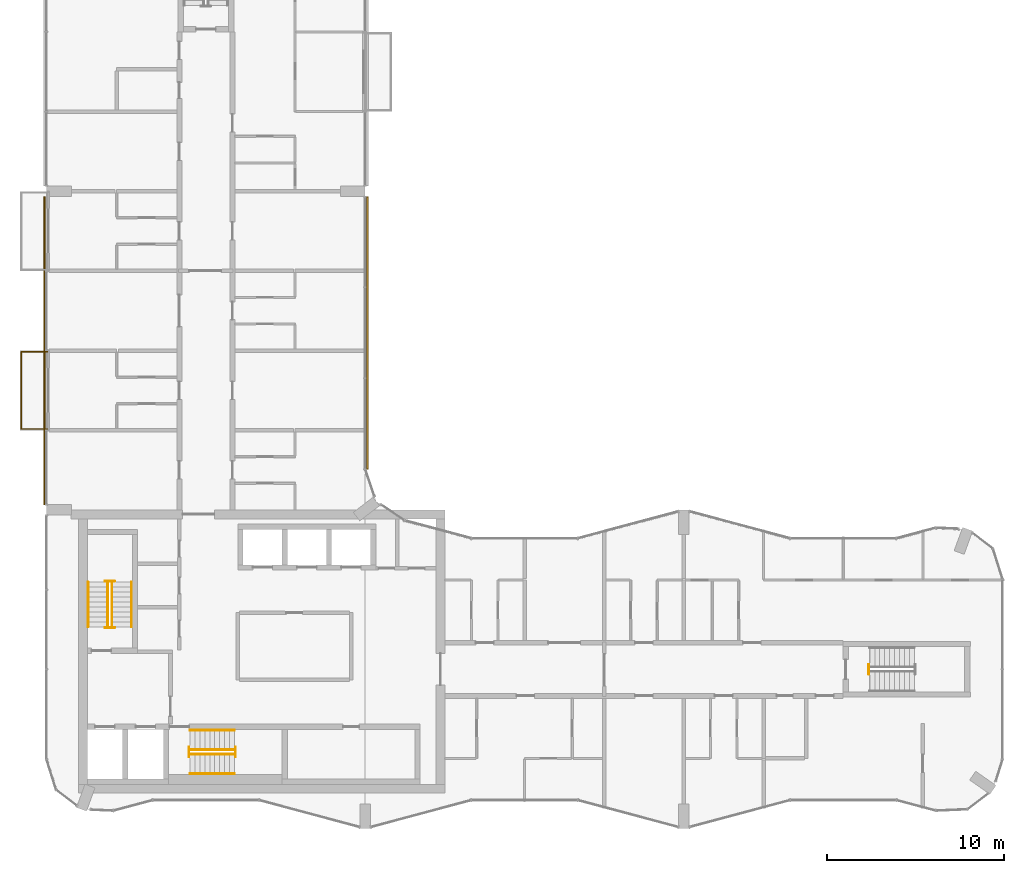
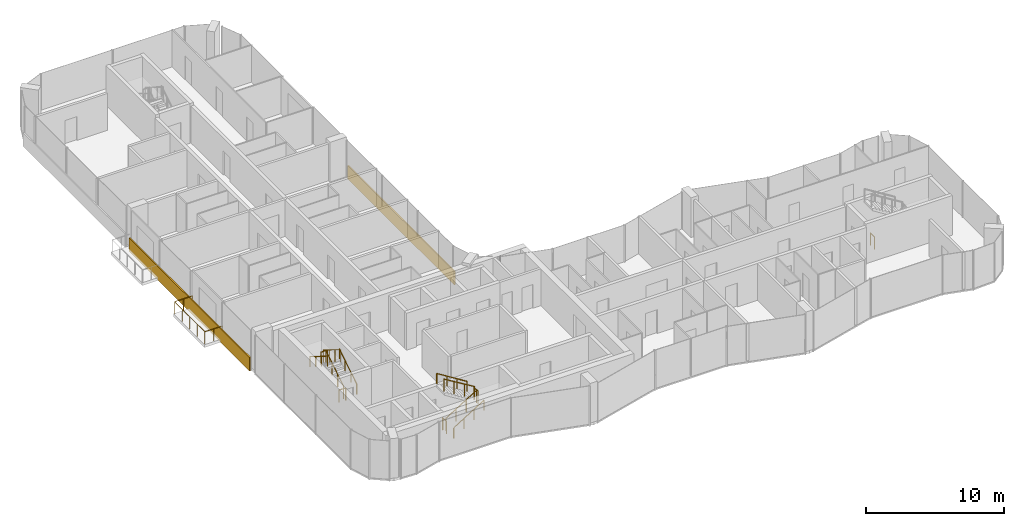
# One storey, part 14 of 16: 14 railings, 2 coverings.
"""IFC4 building model written with IfcOpenShell, lengths in metres."""

import ifcopenshell
import ifcopenshell.guid

model = None  # the IFC model being written
_history = None  # IfcOwnerHistory: only IFC2X3 demands one
_inside = {}  # id of a spatial element -> (the spatial element, [elements in it])
_under = {}  # id of a project, library or spatial element -> (it, [spatial elements below it])
_declared = {}  # id of a project -> (the project, [libraries it declares])
_typed = {}  # id of a type object -> (the type object, [elements of that type])
_made_of = {}  # id of a material, layer set ... -> (it, [elements and type objects made of it])


def new_model(schema):
    """Start an empty IFC model of exactly this schema.

    Asked for "IFC4X3", IfcOpenShell would pick the latest addendum, in which some entities
    have other attributes; the version numbers below select the first issue.
    IFC2X3 requires an IfcOwnerHistory on every rooted entity: one is made here for all.
    """
    global model, _history
    if schema == "IFC4X3":
        model = ifcopenshell.file(schema_version=(4, 3, 0, 0))
    else:
        model = ifcopenshell.file(schema=schema)
    _inside.clear()
    _under.clear()
    _declared.clear()
    _typed.clear()
    _made_of.clear()
    _history = None
    if model.schema == "IFC2X3":
        org = make("IfcOrganization", Name="unknown")
        user = make(
            "IfcPersonAndOrganization",
            ThePerson=make("IfcPerson", FamilyName="unknown"),
            TheOrganization=org,
        )
        app = make(
            "IfcApplication",
            ApplicationDeveloper=org,
            Version="unknown",
            ApplicationFullName="unknown",
            ApplicationIdentifier="unknown",
        )
        _history = make(
            "IfcOwnerHistory",
            OwningUser=user,
            OwningApplication=app,
            ChangeAction="ADDED",
            CreationDate=0,
        )
    return model


def make(cls, **values):
    """One entity of the class cls with the attributes given. An attribute that is None is left unset."""
    return model.create_entity(
        cls, **{name: value for name, value in values.items() if value is not None}
    )


def rooted(cls, **values):
    """An entity with a GlobalId (a new one), such as an element, a storey or a relation."""
    return make(cls, GlobalId=ifcopenshell.guid.new(), OwnerHistory=_history, **values)


def si_unit(unit_type, name, prefix=None):
    """IfcSIUnit, for example si_unit("LENGTHUNIT", "METRE", prefix="MILLI")."""
    return make("IfcSIUnit", UnitType=unit_type, Prefix=prefix, Name=name)


def assignment(units):
    """IfcUnitAssignment: the units of a project."""
    return None if units is None else make("IfcUnitAssignment", Units=units)


def point(xyz):
    """IfcCartesianPoint."""
    return None if xyz is None else make("IfcCartesianPoint", Coordinates=xyz)


def direction(xyz):
    """IfcDirection."""
    return None if xyz is None else make("IfcDirection", DirectionRatios=xyz)


def frame(location, z_axis=None, x_axis=None):
    """IfcAxis2Placement3D, a coordinate frame: its origin and axes. An axis left out is left unset."""
    return make(
        "IfcAxis2Placement3D",
        Location=point(location),
        Axis=direction(z_axis),
        RefDirection=direction(x_axis),
    )


def frame_2d(location, x_axis=None):
    """IfcAxis2Placement2D, a coordinate frame in the plane: its origin and x axis."""
    return make(
        "IfcAxis2Placement2D", Location=point(location), RefDirection=direction(x_axis)
    )


def origin():
    """The frame at (0, 0, 0) with its axes left unset."""
    return frame((0.0, 0.0, 0.0))


def origin_2d():
    """The frame at (0, 0) in the plane with its x axis left unset."""
    return frame_2d((0.0, 0.0))


def place(relative_to, where):
    """IfcLocalPlacement: puts the frame where relative to a parent placement (None: the world)."""
    return make(
        "IfcLocalPlacement", PlacementRelTo=relative_to, RelativePlacement=where
    )


def context(
    kind, dimensions, precision=None, world=None, true_north=None, identifier=None
):
    """IfcGeometricRepresentationContext, for example the 3D "Model" context."""
    return make(
        "IfcGeometricRepresentationContext",
        ContextIdentifier=identifier,
        ContextType=kind,
        CoordinateSpaceDimension=dimensions,
        Precision=precision,
        WorldCoordinateSystem=world,
        TrueNorth=true_north,
    )


def subcontext(parent, identifier, kind, view, scale=None):
    """IfcGeometricRepresentationSubContext, for example "Body" below "Model"."""
    return make(
        "IfcGeometricRepresentationSubContext",
        ContextIdentifier=identifier,
        ContextType=kind,
        ParentContext=parent,
        TargetScale=scale,
        TargetView=view,
    )


def project(units=None, contexts=None):
    """IfcProject with its units and contexts."""
    return rooted(
        "IfcProject",
        Name="project",
        RepresentationContexts=contexts,
        UnitsInContext=assignment(units),
    )


def spatial(cls, under=None, at=None, **own):
    """A site, building, storey or space (cls), placed at a placement, below another one or the project."""
    s = rooted(cls, ObjectPlacement=at, **own)
    if under is not None:
        _under.setdefault(under.id(), (under, []))[1].append(s)
    return s


def profile(cls, at=None, kind="AREA", **sizes):
    """A parametric profile (cls). Its sizes go by their IFC names, for example OverallWidth=200.0."""
    return make(cls, ProfileType=kind, Position=at, **sizes)


def rectangle(**sizes):
    """IfcRectangleProfileDef."""
    return profile("IfcRectangleProfileDef", **sizes)


def circle(**sizes):
    """IfcCircleProfileDef."""
    return profile("IfcCircleProfileDef", **sizes)


def extrude(swept, where, along, depth):
    """IfcExtrudedAreaSolid: the profile swept, set in the frame where, extruded along a direction by depth."""
    return make(
        "IfcExtrudedAreaSolid",
        SweptArea=swept,
        Position=where,
        ExtrudedDirection=direction(along),
        Depth=depth,
    )


def shape(context_of_items, identifier, shape_type, items):
    """IfcShapeRepresentation: the items that make up one representation, for example the "Body"."""
    return make(
        "IfcShapeRepresentation",
        ContextOfItems=context_of_items,
        RepresentationIdentifier=identifier,
        RepresentationType=shape_type,
        Items=items,
    )


def material(Name=None, Category=None):
    """IfcMaterial."""
    return make("IfcMaterial", Name=Name, Category=Category)


def layer(
    of_material, thickness, ventilated=None, Name=None, Category=None, Priority=None
):
    """IfcMaterialLayer: one layer of a wall or slab, of a material (None: an air gap)."""
    return make(
        "IfcMaterialLayer",
        Material=of_material,
        LayerThickness=thickness,
        IsVentilated=ventilated,
        Name=Name,
        Category=Category,
        Priority=Priority,
    )


def layer_set(layers, Name=None):
    """IfcMaterialLayerSet."""
    return make("IfcMaterialLayerSet", MaterialLayers=layers, LayerSetName=Name)


def made_of(thing, what):
    """Note that an element or type object is made of a material, layer set ...; save() writes the relation."""
    if what is not None:
        _made_of.setdefault(what.id(), (what, []))[1].append(thing)
    return thing


def type_object(cls, material=None, **own):
    """A type object (cls), such as IfcWallType, which elements share."""
    return made_of(rooted(cls, **own), material)


def element(
    cls,
    number,
    at=None,
    inside=None,
    cuts=None,
    type_object=None,
    material=None,
    context=None,
    identifier="Body",
    shape_type=None,
    held_by="IfcProductDefinitionShape",
    body=None,
    shapes=None,
    **own,
):
    """One element of the class cls, such as IfcWall. Its Tag is "e" and its number.

    at: its placement. inside: the storey or other place that contains it. cuts: it is an
    opening in that element (IfcRelVoidsElement). A single representation is given by context,
    identifier, shape_type and body (its items); several are given by shapes. held_by: the class
    of the entity that holds the representations. save() writes the other relations.
    """
    e = rooted(cls, Tag="e%d" % number, ObjectPlacement=at, **own)
    if body is not None:
        shapes = [shape(context, identifier, shape_type, body)]
    if shapes is not None:
        e.Representation = make(held_by, Representations=shapes)
    if inside is not None:
        _inside.setdefault(inside.id(), (inside, []))[1].append(e)
    if cuts is not None:
        rooted(
            "IfcRelVoidsElement", RelatingBuildingElement=cuts, RelatedOpeningElement=e
        )
    if type_object is not None:
        _typed.setdefault(type_object.id(), (type_object, []))[1].append(e)
    return made_of(e, material)


def aggregate(whole, parts):
    """IfcRelAggregates: a whole, such as a stair, and the parts it consists of."""
    return rooted("IfcRelAggregates", RelatingObject=whole, RelatedObjects=parts)


def save(model, path):
    """Write the relations noted so far, then the file.

    IfcRelAggregates (storeys below a building ...), IfcRelContainedInSpatialStructure (elements
    in a storey), IfcRelDefinesByType, IfcRelAssociatesMaterial and IfcRelDeclares: one each for
    every whole, place, type object, material and project.
    """
    for whole, parts in _under.values():
        aggregate(whole, parts)
    for where, things in _inside.values():
        rooted(
            "IfcRelContainedInSpatialStructure",
            RelatedElements=things,
            RelatingStructure=where,
        )
    for kind, things in _typed.values():
        rooted("IfcRelDefinesByType", RelatedObjects=things, RelatingType=kind)
    for what, things in _made_of.values():
        rooted("IfcRelAssociatesMaterial", RelatedObjects=things, RelatingMaterial=what)
    for by, libraries in _declared.values():
        rooted("IfcRelDeclares", RelatingContext=by, RelatedDefinitions=libraries)
    model.write(path)


model = new_model("IFC4")

# Units and contexts
model_context = context("Model", 3, precision=1e-05, world=origin(), true_north=direction((0.0, 1.0)))
body_context = subcontext(model_context, "Body", "Model", "MODEL_VIEW")
ifc_project = project(units=[si_unit("LENGTHUNIT", "METRE"), si_unit("AREAUNIT", "SQUARE_METRE"), si_unit("VOLUMEUNIT", "CUBIC_METRE"), si_unit("PLANEANGLEUNIT", "RADIAN"), si_unit("MASSUNIT", "GRAM", prefix="KILO")], contexts=[model_context])

# Site, building, storey
site_placement = place(None, origin())
site = spatial("IfcSite", under=ifc_project, at=site_placement, CompositionType="ELEMENT")
building_placement = place(site_placement, origin())
building = spatial("IfcBuilding", under=site, at=building_placement, Name="Plateau Cross Towers", CompositionType="ELEMENT")
storey_placement = place(building_placement, frame((0.0, 0.0, 218.89990234375)))
storey = spatial("IfcBuildingStorey", under=building, at=storey_placement, Name="L57", CompositionType="ELEMENT", Elevation=218.89990234375)

# Railings
ifc_material_1 = material(Name="Stainless steel and toughened glass", Category="steel")
railing_type_1 = type_object("IfcRailingType", Name="Glass balustrade guard 1100", PredefinedType="GUARDRAIL", material=ifc_material_1)
railing_1_placement = place(storey_placement, frame((0.050048828125, 22.570068359375, 0.0)))
element("IfcRailing", 1, at=railing_1_placement, inside=storey, type_object=railing_type_1, Name="Guard guard1", PredefinedType="GUARDRAIL", context=body_context, shape_type="SweptSolid", body=[
    extrude(circle(Radius=0.02392578125, at=origin_2d()), frame((0.0, 0.0, 1.076171875), z_axis=(-1.0, 0.0, 0.0), x_axis=(0.0, -1.0, 0.0)), (0.0, 0.0, 1.0), 1.47998046875),
    extrude(circle(Radius=0.02392578125, at=origin_2d()), frame((-1.47998046875, 0.0, 1.076171875), z_axis=(0.0, 1.0, 0.0), x_axis=(-1.0, 0.0, 0.0)), (0.0, 0.0, 1.0), 4.35986328125),
    extrude(circle(Radius=0.02392578125, at=origin_2d()), frame((-1.47998046875, 4.35986328125, 1.076171875), z_axis=(1.0, 0.0, 0.0), x_axis=(0.0, 1.0, 0.0)), (0.0, 0.0, 1.0), 1.47998046875),
    extrude(circle(Radius=0.02099609375, at=origin_2d()), origin(), (0.0, 0.0, 1.0), 1.052001953125),
    extrude(circle(Radius=0.02099609375, at=origin_2d()), frame((-0.739990234375, 0.0, 0.0)), (0.0, 0.0, 1.0), 1.052001953125),
    extrude(circle(Radius=0.02099609375, at=origin_2d()), frame((-1.47998046875, 0.0, 0.0)), (0.0, 0.0, 1.0), 1.052001953125),
    extrude(circle(Radius=0.02099609375, at=origin_2d()), frame((-1.47998046875, 1.08984375, 0.0)), (0.0, 0.0, 1.0), 1.052001953125),
    extrude(circle(Radius=0.02099609375, at=origin_2d()), frame((-1.47998046875, 2.179931640625, 0.0)), (0.0, 0.0, 1.0), 1.052001953125),
    extrude(circle(Radius=0.02099609375, at=origin_2d()), frame((-1.47998046875, 3.27001953125, 0.0)), (0.0, 0.0, 1.0), 1.052001953125),
    extrude(circle(Radius=0.02099609375, at=origin_2d()), frame((-1.47998046875, 4.35986328125, 0.0)), (0.0, 0.0, 1.0), 1.052001953125),
    extrude(circle(Radius=0.02099609375, at=origin_2d()), frame((-0.739990234375, 4.35986328125, 0.0)), (0.0, 0.0, 1.0), 1.052001953125),
    extrude(circle(Radius=0.02099609375, at=origin_2d()), frame((0.0, 4.35986328125, 0.0)), (0.0, 0.0, 1.0), 1.052001953125),
])
railing_type_2 = type_object("IfcRailingType", Name="RL-GUARD-1100", PredefinedType="GUARDRAIL", material=ifc_material_1)
railing_2_placement = place(storey_placement, frame((3.699951171875, 11.39990234375, 0.175048828125)))
element("IfcRailing", 2, at=railing_2_placement, inside=storey, type_object=railing_type_2, Name="L57 ST-1 stair guard 1", PredefinedType="GUARDRAIL", context=body_context, shape_type="SweptSolid", body=[
    extrude(circle(Radius=0.02392578125, at=origin_2d()), frame((0.0, 0.0, 1.076171875), z_axis=(0.0, 0.848007534815, 0.529984170421), x_axis=(-1.0, 0.0, 0.0)), (0.0, 0.0, 1.0), 2.9716796875),
    extrude(circle(Radius=0.02099609375, at=origin_2d()), origin(), (0.0, 0.0, 1.0), 1.052001953125),
    extrude(circle(Radius=0.02099609375, at=origin_2d()), frame((0.0, 0.840087890625, 0.52490234375)), (0.0, 0.0, 1.0), 1.052001953125),
    extrude(circle(Radius=0.02099609375, at=origin_2d()), frame((0.0, 1.679931640625, 1.050048828125)), (0.0, 0.0, 1.0), 1.052001953125),
    extrude(circle(Radius=0.02099609375, at=origin_2d()), frame((0.0, 2.52001953125, 1.574951171875)), (0.0, 0.0, 1.0), 1.052001953125),
])
railing_3_placement = place(storey_placement, frame((3.85009765625, 13.969970703125, 1.75)))
element("IfcRailing", 3, at=railing_3_placement, inside=storey, type_object=railing_type_2, Name="L57 ST-1 stair guard 2", PredefinedType="GUARDRAIL", context=body_context, shape_type="SweptSolid", body=[
    extrude(circle(Radius=0.02392578125, at=origin_2d()), frame((0.0, 0.0, 1.076171875), z_axis=(-1.0, 0.0, 0.0), x_axis=(0.0, -1.0, 0.0)), (0.0, 0.0, 1.0), 0.550048828125),
    extrude(circle(Radius=0.02099609375, at=origin_2d()), origin(), (0.0, 0.0, 1.0), 1.052001953125),
    extrude(circle(Radius=0.02099609375, at=origin_2d()), frame((-0.550048828125, 0.0, 0.0)), (0.0, 0.0, 1.0), 1.052001953125),
])
railing_4_placement = place(storey_placement, frame((3.449951171875, 13.919921875, 1.925048828125)))
element("IfcRailing", 4, at=railing_4_placement, inside=storey, type_object=railing_type_2, Name="L57 ST-1 stair guard 3", PredefinedType="GUARDRAIL", context=body_context, shape_type="SweptSolid", body=[
    extrude(circle(Radius=0.02392578125, at=origin_2d()), frame((0.0, 0.0, 1.076171875), z_axis=(0.0, -0.852616386126, 0.522537365276), x_axis=(1.0, 0.0, 0.0)), (0.0, 0.0, 1.0), 3.01416015625),
    extrude(circle(Radius=0.02099609375, at=origin_2d()), origin(), (0.0, 0.0, 1.0), 1.052001953125),
    extrude(circle(Radius=0.02099609375, at=origin_2d()), frame((0.0, -0.856689453125, 0.52490234375)), (0.0, 0.0, 1.0), 1.052001953125),
    extrude(circle(Radius=0.02099609375, at=origin_2d()), frame((0.0, -1.713134765625, 1.050048828125)), (0.0, 0.0, 1.0), 1.052001953125),
    extrude(circle(Radius=0.02099609375, at=origin_2d()), frame((0.0, -2.56982421875, 1.574951171875)), (0.0, 0.0, 1.0), 1.052001953125),
])
railing_5_placement = place(storey_placement, frame((3.85009765625, 11.35009765625, 0.0)))
element("IfcRailing", 5, at=railing_5_placement, inside=storey, type_object=railing_type_2, Name="L57 ST-1 stair guard 4", PredefinedType="GUARDRAIL", context=body_context, shape_type="SweptSolid", body=[
    extrude(circle(Radius=0.02392578125, at=origin_2d()), frame((0.0, 0.0, 1.076171875), z_axis=(-1.0, 0.0, 0.0), x_axis=(0.0, -1.0, 0.0)), (0.0, 0.0, 1.0), 0.550048828125),
    extrude(circle(Radius=0.02099609375, at=origin_2d()), origin(), (0.0, 0.0, 1.0), 1.052001953125),
    extrude(circle(Radius=0.02099609375, at=origin_2d()), frame((-0.550048828125, 0.0, 0.0)), (0.0, 0.0, 1.0), 1.052001953125),
])
railing_6_placement = place(storey_placement, frame((8.10009765625, 4.199951171875, 0.175048828125)))
element("IfcRailing", 6, at=railing_6_placement, inside=storey, type_object=railing_type_2, Name="L57 ST-2 stair guard 1", PredefinedType="GUARDRAIL", context=body_context, shape_type="SweptSolid", body=[
    extrude(circle(Radius=0.02392578125, at=origin_2d()), frame((0.0, 0.0, 1.076171875), z_axis=(0.848007534815, 0.0, 0.529984170421), x_axis=(0.0, 1.0, 0.0)), (0.0, 0.0, 1.0), 2.9716796875),
    extrude(circle(Radius=0.02099609375, at=origin_2d()), origin(), (0.0, 0.0, 1.0), 1.052001953125),
    extrude(circle(Radius=0.02099609375, at=origin_2d()), frame((0.840087890625, 0.0, 0.52490234375)), (0.0, 0.0, 1.0), 1.052001953125),
    extrude(circle(Radius=0.02099609375, at=origin_2d()), frame((1.679931640625, 0.0, 1.050048828125)), (0.0, 0.0, 1.0), 1.052001953125),
    extrude(circle(Radius=0.02099609375, at=origin_2d()), frame((2.52001953125, 0.0, 1.574951171875)), (0.0, 0.0, 1.0), 1.052001953125),
])
railing_7_placement = place(storey_placement, frame((10.669921875, 4.050048828125, 1.75)))
element("IfcRailing", 7, at=railing_7_placement, inside=storey, type_object=railing_type_2, Name="L57 ST-2 stair guard 2", PredefinedType="GUARDRAIL", context=body_context, shape_type="SweptSolid", body=[
    extrude(circle(Radius=0.02392578125, at=origin_2d()), frame((0.0, 0.0, 1.076171875), z_axis=(0.0, 1.0, 0.0), x_axis=(-1.0, 0.0, 0.0)), (0.0, 0.0, 1.0), 0.550048828125),
    extrude(circle(Radius=0.02099609375, at=origin_2d()), origin(), (0.0, 0.0, 1.0), 1.052001953125),
    extrude(circle(Radius=0.02099609375, at=origin_2d()), frame((0.0, 0.550048828125, 0.0)), (0.0, 0.0, 1.0), 1.052001953125),
])
railing_8_placement = place(storey_placement, frame((10.6201171875, 4.449951171875, 1.925048828125)))
element("IfcRailing", 8, at=railing_8_placement, inside=storey, type_object=railing_type_2, Name="L57 ST-2 stair guard 3", PredefinedType="GUARDRAIL", context=body_context, shape_type="SweptSolid", body=[
    extrude(circle(Radius=0.02392578125, at=origin_2d()), frame((0.0, 0.0, 1.076171875), z_axis=(-0.852638500773, 0.0, 0.522501279423), x_axis=(0.0, -1.0, 0.0)), (0.0, 0.0, 1.0), 3.01416015625),
    extrude(circle(Radius=0.02099609375, at=origin_2d()), origin(), (0.0, 0.0, 1.0), 1.052001953125),
    extrude(circle(Radius=0.02099609375, at=origin_2d()), frame((-0.856689453125, 0.0, 0.52490234375)), (0.0, 0.0, 1.0), 1.052001953125),
    extrude(circle(Radius=0.02099609375, at=origin_2d()), frame((-1.71337890625, 0.0, 1.050048828125)), (0.0, 0.0, 1.0), 1.052001953125),
    extrude(circle(Radius=0.02099609375, at=origin_2d()), frame((-2.570068359375, 0.0, 1.574951171875)), (0.0, 0.0, 1.0), 1.052001953125),
])
railing_9_placement = place(storey_placement, frame((8.050048828125, 4.050048828125, 0.0)))
element("IfcRailing", 9, at=railing_9_placement, inside=storey, type_object=railing_type_2, Name="L57 ST-2 stair guard 4", PredefinedType="GUARDRAIL", context=body_context, shape_type="SweptSolid", body=[
    extrude(circle(Radius=0.02392578125, at=origin_2d()), frame((0.0, 0.0, 1.076171875), z_axis=(0.0, 1.0, 0.0), x_axis=(-1.0, 0.0, 0.0)), (0.0, 0.0, 1.0), 0.550048828125),
    extrude(circle(Radius=0.02099609375, at=origin_2d()), origin(), (0.0, 0.0, 1.0), 1.052001953125),
    extrude(circle(Radius=0.02099609375, at=origin_2d()), frame((0.0, 0.550048828125, 0.0)), (0.0, 0.0, 1.0), 1.052001953125),
])
railing_10_placement = place(storey_placement, frame((46.449951171875, 8.72509765625, 0.0)))
element("IfcRailing", 10, at=railing_10_placement, inside=storey, type_object=railing_type_2, Name="L57 ES-E stair guard 4", PredefinedType="GUARDRAIL", context=body_context, shape_type="SweptSolid", body=[
    extrude(circle(Radius=0.02392578125, at=origin_2d()), frame((0.0, 0.0, 1.076171875), z_axis=(0.0, 1.0, 0.0), x_axis=(-1.0, 0.0, 0.0)), (0.0, 0.0, 1.0), 0.5498046875),
    extrude(circle(Radius=0.02099609375, at=origin_2d()), origin(), (0.0, 0.0, 1.0), 1.052001953125),
    extrude(circle(Radius=0.02099609375, at=origin_2d()), frame((0.0, 0.5498046875, 0.0)), (0.0, 0.0, 1.0), 1.052001953125),
])
ifc_material_2 = material(Name="Black anodised aluminium", Category="aluminium")
railing_type_3 = type_object("IfcRailingType", Name="RL-HANDRAIL-900", PredefinedType="HANDRAIL", material=ifc_material_2)
railing_11_placement = place(storey_placement, frame((4.800048828125, 11.39990234375, 0.175048828125)))
element("IfcRailing", 11, at=railing_11_placement, inside=storey, type_object=railing_type_3, Name="L57 ST-1 stair handrail 1", PredefinedType="HANDRAIL", context=body_context, shape_type="SweptSolid", body=[
    extrude(circle(Radius=0.02392578125, at=origin_2d()), frame((0.0, 0.0, 0.8759765625), z_axis=(0.0, 0.848007534815, 0.529984170421), x_axis=(-1.0, 0.0, 0.0)), (0.0, 0.0, 1.0), 2.9716796875),
    extrude(circle(Radius=0.02099609375, at=origin_2d()), origin(), (0.0, 0.0, 1.0), 0.851806640625),
    extrude(circle(Radius=0.02099609375, at=origin_2d()), frame((0.0, 0.840087890625, 0.52490234375)), (0.0, 0.0, 1.0), 0.851806640625),
    extrude(circle(Radius=0.02099609375, at=origin_2d()), frame((0.0, 1.679931640625, 1.050048828125)), (0.0, 0.0, 1.0), 0.851806640625),
    extrude(circle(Radius=0.02099609375, at=origin_2d()), frame((0.0, 2.52001953125, 1.574951171875)), (0.0, 0.0, 1.0), 0.851806640625),
])
railing_12_placement = place(storey_placement, frame((2.35009765625, 13.919921875, 1.925048828125)))
element("IfcRailing", 12, at=railing_12_placement, inside=storey, type_object=railing_type_3, Name="L57 ST-1 stair handrail 2", PredefinedType="HANDRAIL", context=body_context, shape_type="SweptSolid", body=[
    extrude(circle(Radius=0.02392578125, at=origin_2d()), frame((0.0, 0.0, 0.8759765625), z_axis=(0.0, -0.848007534815, 0.529984170421), x_axis=(1.0, 0.0, 0.0)), (0.0, 0.0, 1.0), 2.9716796875),
    extrude(circle(Radius=0.02099609375, at=origin_2d()), origin(), (0.0, 0.0, 1.0), 0.851806640625),
    extrude(circle(Radius=0.02099609375, at=origin_2d()), frame((0.0, -0.840087890625, 0.52490234375)), (0.0, 0.0, 1.0), 0.851806640625),
    extrude(circle(Radius=0.02099609375, at=origin_2d()), frame((0.0, -1.679931640625, 1.050048828125)), (0.0, 0.0, 1.0), 0.851806640625),
    extrude(circle(Radius=0.02099609375, at=origin_2d()), frame((0.0, -2.52001953125, 1.574951171875)), (0.0, 0.0, 1.0), 0.851806640625),
])
railing_13_placement = place(storey_placement, frame((8.10009765625, 3.10009765625, 0.175048828125)))
element("IfcRailing", 13, at=railing_13_placement, inside=storey, type_object=railing_type_3, Name="L57 ST-2 stair handrail 1", PredefinedType="HANDRAIL", context=body_context, shape_type="SweptSolid", body=[
    extrude(circle(Radius=0.02392578125, at=origin_2d()), frame((0.0, 0.0, 0.8759765625), z_axis=(0.848007534815, 0.0, 0.529984170421), x_axis=(0.0, 1.0, 0.0)), (0.0, 0.0, 1.0), 2.9716796875),
    extrude(circle(Radius=0.02099609375, at=origin_2d()), origin(), (0.0, 0.0, 1.0), 0.851806640625),
    extrude(circle(Radius=0.02099609375, at=origin_2d()), frame((0.840087890625, 0.0, 0.52490234375)), (0.0, 0.0, 1.0), 0.851806640625),
    extrude(circle(Radius=0.02099609375, at=origin_2d()), frame((1.679931640625, 0.0, 1.050048828125)), (0.0, 0.0, 1.0), 0.851806640625),
    extrude(circle(Radius=0.02099609375, at=origin_2d()), frame((2.52001953125, 0.0, 1.574951171875)), (0.0, 0.0, 1.0), 0.851806640625),
])
railing_14_placement = place(storey_placement, frame((10.6201171875, 5.550048828125, 1.925048828125)))
element("IfcRailing", 14, at=railing_14_placement, inside=storey, type_object=railing_type_3, Name="L57 ST-2 stair handrail 2", PredefinedType="HANDRAIL", context=body_context, shape_type="SweptSolid", body=[
    extrude(circle(Radius=0.02392578125, at=origin_2d()), frame((0.0, 0.0, 0.8759765625), z_axis=(-0.848007534815, 0.0, 0.529984170421), x_axis=(0.0, -1.0, 0.0)), (0.0, 0.0, 1.0), 2.9716796875),
    extrude(circle(Radius=0.02099609375, at=origin_2d()), origin(), (0.0, 0.0, 1.0), 0.851806640625),
    extrude(circle(Radius=0.02099609375, at=origin_2d()), frame((-0.840087890625, 0.0, 0.52490234375)), (0.0, 0.0, 1.0), 0.851806640625),
    extrude(circle(Radius=0.02099609375, at=origin_2d()), frame((-1.679931640625, 0.0, 1.050048828125)), (0.0, 0.0, 1.0), 0.851806640625),
    extrude(circle(Radius=0.02099609375, at=origin_2d()), frame((-2.52001953125, 0.0, 1.574951171875)), (0.0, 0.0, 1.0), 0.851806640625),
])

# Coverings
ifc_material_3 = material(Name="Precast concrete cladding C40/50", Category="concrete")
ifc_layer = layer(ifc_material_3, 0.10009765625)
ifc_layer_set = layer_set([ifc_layer], Name="Precast concrete cladding C40/50")
covering_type = type_object("IfcCoveringType", Name="Spandrel band cladding 100x1200", PredefinedType="CLADDING", material=ifc_layer_set)
covering_1_placement = place(storey_placement, frame((18.1201171875, 28.001220703125, -0.25), z_axis=(0.0, 0.0, 1.0), x_axis=(0.0, 1.0, 0.0)))
element("IfcCovering", 15, at=covering_1_placement, inside=storey, type_object=covering_type, Name="Spandrel band", PredefinedType="CLADDING", context=body_context, shape_type="SweptSolid", body=[
    extrude(rectangle(XDim=15.397705078125, YDim=0.10009765625, at=origin_2d()), origin(), (0.0, 0.0, 1.0), 1.199951171875),
])
covering_2_placement = place(storey_placement, frame((-0.1201171875, 27.0, -0.25), z_axis=(0.0, 0.0, 1.0), x_axis=(0.0, -1.0, 0.0)))
element("IfcCovering", 16, at=covering_2_placement, inside=storey, type_object=covering_type, Name="Spandrel band", PredefinedType="CLADDING", context=body_context, shape_type="SweptSolid", body=[
    extrude(rectangle(XDim=17.39990234375, YDim=0.10009765625, at=origin_2d()), origin(), (0.0, 0.0, 1.0), 1.199951171875),
])

save(model, "model.ifc")
